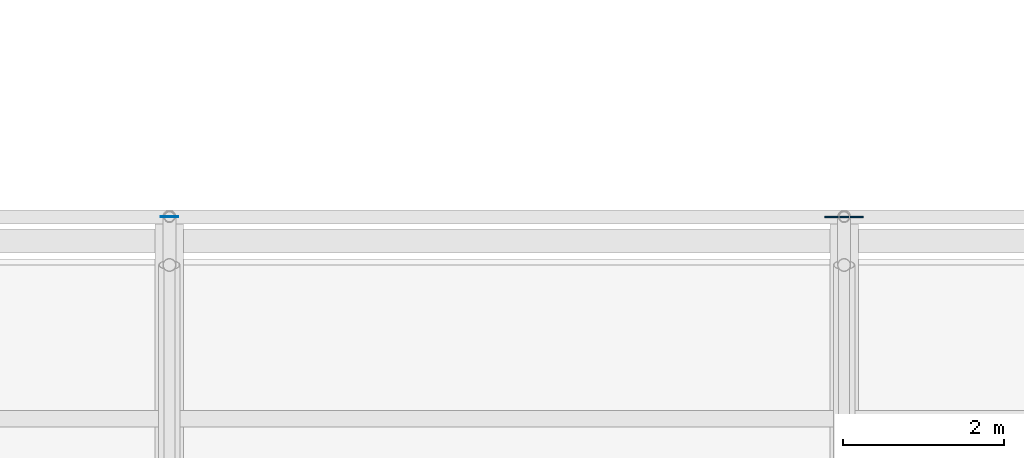
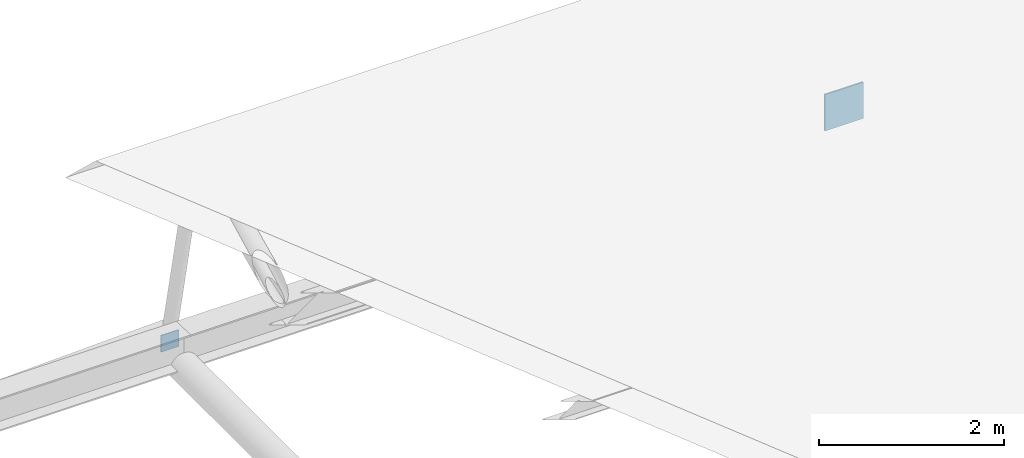
# One storey, part 164 of 194: 2 plates.
"""IFC4 building model written with IfcOpenShell, lengths in metres."""

from ifc_helpers import new_model, si_unit, direction, frame, origin, origin_2d, place, context, subcontext, project, spatial, rectangle, extrude, material, layer, layer_set, type_object, element, save


model = new_model("IFC4")

# Units and contexts
model_context = context("Model", 3, precision=1e-05, world=origin(), true_north=direction((0.0, 1.0)))
body_context = subcontext(model_context, "Body", "Model", "MODEL_VIEW")
ifc_project = project(units=[si_unit("LENGTHUNIT", "METRE"), si_unit("AREAUNIT", "SQUARE_METRE"), si_unit("VOLUMEUNIT", "CUBIC_METRE"), si_unit("PLANEANGLEUNIT", "RADIAN"), si_unit("MASSUNIT", "GRAM", prefix="KILO")], contexts=[model_context])

# Site, building, storey
site_placement = place(None, origin())
site = spatial("IfcSite", under=ifc_project, at=site_placement, CompositionType="ELEMENT")
building_placement = place(site_placement, origin())
building = spatial("IfcBuilding", under=site, at=building_placement, Name="Kazenagashi Tramway Depot", CompositionType="ELEMENT")
storey_placement = place(building_placement, frame((0.0, 0.0, 23.7)))
storey = spatial("IfcBuildingStorey", under=building, at=storey_placement, Name="ROOF", CompositionType="ELEMENT", Elevation=23.7)

# Plates
ifc_material_1 = material(Name="Steel STK490", Category="steel")
ifc_layer_1 = layer(ifc_material_1, 0.012)
ifc_layer_set_1 = layer_set([ifc_layer_1], Name="Steel STK490")
plate_type_1 = type_object("IfcPlateType", Name="EC-03", PredefinedType="USERDEFINED", material=ifc_layer_set_1)
plate_1_placement = place(storey_placement, frame((112.0, 54.9, -8.86), z_axis=(0.0, 0.0, 1.0), x_axis=(1.0, 0.0, 0.0)))
element("IfcPlate", 1, at=plate_1_placement, inside=storey, type_object=plate_type_1, Name="Structural Node Plate EC-03 PLT-0086", ObjectType="END CAP PLATE", PredefinedType="USERDEFINED", context=body_context, shape_type="SweptSolid", body=[
    extrude(rectangle(XDim=0.22, YDim=0.012, at=origin_2d()), origin(), (0.0, 0.0, 1.0), 0.22),
])
ifc_material_2 = material(Name="Steel SN490B", Category="steel")
ifc_layer_2 = layer(ifc_material_2, 0.019)
ifc_layer_set_2 = layer_set([ifc_layer_2], Name="Steel SN490B")
plate_type_2 = type_object("IfcPlateType", Name="GP-02", PredefinedType="USERDEFINED", material=ifc_layer_set_2)
plate_2_placement = place(storey_placement, frame((120.4, 54.9, -8.84), z_axis=(0.0, 0.0, 1.0), x_axis=(1.0, 0.0, 0.0)))
element("IfcPlate", 2, at=plate_2_placement, inside=storey, type_object=plate_type_2, Name="Structural Node Plate GP-02 PLT-0131", ObjectType="GUSSET PLATE", PredefinedType="USERDEFINED", context=body_context, shape_type="SweptSolid", body=[
    extrude(rectangle(XDim=0.48, YDim=0.019, at=origin_2d()), origin(), (0.0, 0.0, 1.0), 0.48),
])

save(model, "model.ifc")
